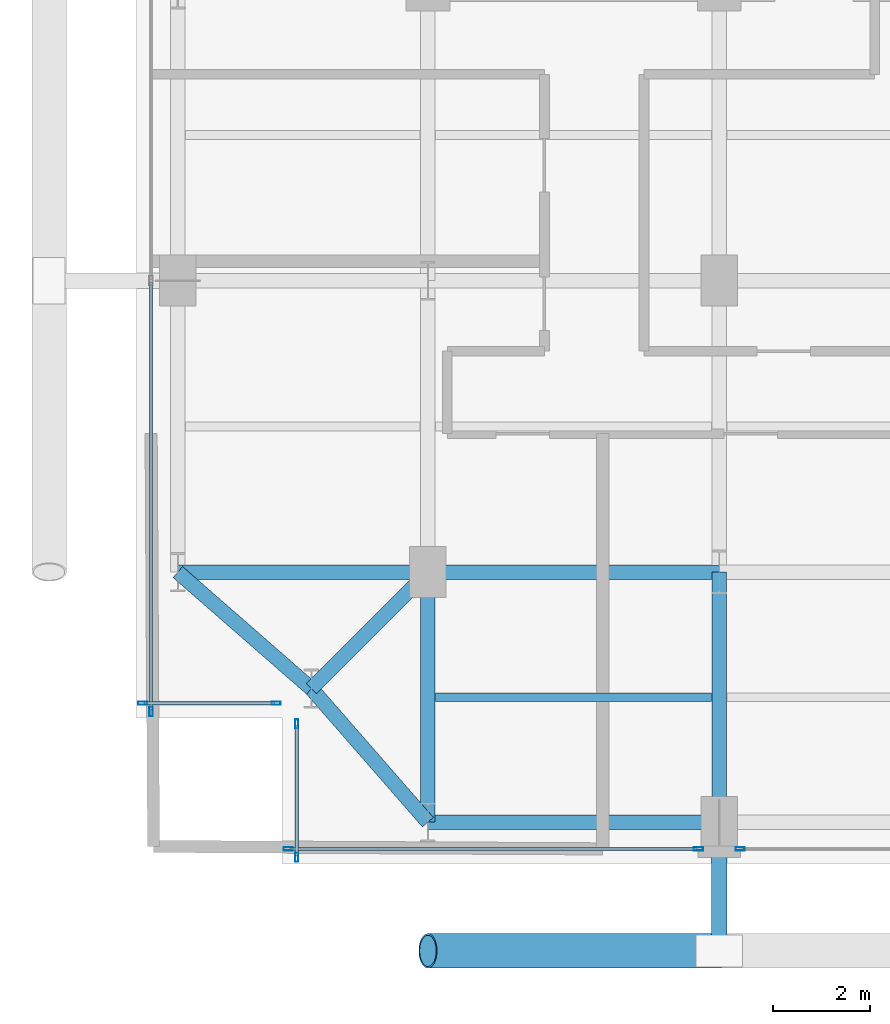
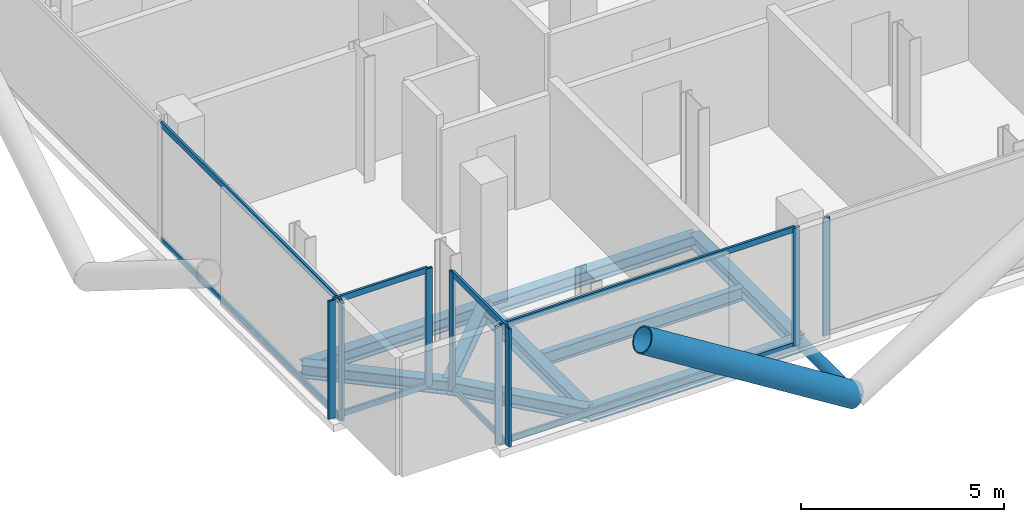
# One storey, part 2 of 26: 18 members, 9 beams, 5 elements without a shape of their own.
"""IFC4 building model written with IfcOpenShell, lengths in metres."""

from ifc_helpers import new_model, si_unit, direction, frame, origin, origin_2d, place, context, subcontext, project, spatial, hollow_rectangle, hollow_circle, i_section, extrude, material, layer, layer_set, material_profile, profile_set, type_object, element, aggregate, save


model = new_model("IFC4")

# Units and contexts
model_context = context("Model", 3, precision=1e-05, world=origin(), true_north=direction((0.0, 1.0)))
body_context = subcontext(model_context, "Body", "Model", "MODEL_VIEW")
ifc_project = project(units=[si_unit("LENGTHUNIT", "METRE"), si_unit("AREAUNIT", "SQUARE_METRE"), si_unit("VOLUMEUNIT", "CUBIC_METRE"), si_unit("PLANEANGLEUNIT", "RADIAN"), si_unit("MASSUNIT", "GRAM", prefix="KILO"), si_unit("THERMODYNAMICTEMPERATUREUNIT", "KELVIN"), si_unit("POWERUNIT", "WATT")], contexts=[model_context])

# Site, building, storey
site_placement = place(None, origin())
site = spatial("IfcSite", under=ifc_project, at=site_placement, CompositionType="ELEMENT")
building_placement = place(site_placement, origin())
building = spatial("IfcBuilding", under=site, at=building_placement, Name="Svarakhadi Broadcast Tower", CompositionType="ELEMENT")
storey_placement = place(building_placement, frame((0.0, 0.0, 184.199951171875)))
storey = spatial("IfcBuildingStorey", under=building, at=storey_placement, Name="L45", CompositionType="ELEMENT", Elevation=184.199951171875)

# Beam
ifc_material_1 = material(Name="Steel S355J2 (IS 2062 E350C)", Category="steel")
ifc_material_profile_1 = material_profile(ifc_material_1, i_section(OverallWidth=0.179931640625, OverallDepth=0.39990234375, WebThickness=0.008544921875, FlangeThickness=0.013427734375, FilletRadius=0.02099609375, at=origin_2d()), Name="NPB 400x180x66")
ifc_profile_set_1 = profile_set([ifc_material_profile_1], Name="Steel S355J2 (IS 2062 E350C)")
beam_type_1 = type_object("IfcBeamType", Name="Beam_NPB400", PredefinedType="BEAM", material=ifc_profile_set_1)
beam_1_placement = place(storey_placement, frame((6.159912109375, 3.425048828125, -0.409912109375), z_axis=(1.0, 0.0, 0.0), x_axis=(0.0, 1.0, 0.0)))
element("IfcBeam", 1, at=beam_1_placement, inside=storey, type_object=beam_type_1, Name="L45 Secondary Composite Beam SB005", PredefinedType="BEAM", context=body_context, shape_type="SweptSolid", body=[
    extrude(i_section(OverallWidth=0.179931640625, OverallDepth=0.39990234375, WebThickness=0.008544921875, FlangeThickness=0.013427734375, FilletRadius=0.02099609375, at=origin_2d()), origin(), (0.0, 0.0, 1.0), 5.68017578125),
])

# Curtain wall, members
ifc_material_2 = material(Name="Anodised Bronze Aluminium AA 6063-T6", Category="aluminium")
ifc_layer = layer(ifc_material_2, 0.18994140625)
ifc_layer_set = layer_set([ifc_layer], Name="Anodised Bronze Aluminium AA 6063-T6")
curtain_wall_type = type_object("IfcCurtainWallType", Name="CW_Sys_04", PredefinedType="NOTDEFINED", material=ifc_layer_set)
curtain_wall_1_placement = place(storey_placement, origin())
curtain_wall_1 = element("IfcCurtainWall", 2, at=curtain_wall_1_placement, inside=storey, type_object=curtain_wall_type, Name="L45 Unitised Facade Curtain Wall 01", PredefinedType="NOTDEFINED")
ifc_material_profile_2 = material_profile(ifc_material_2, hollow_rectangle(XDim=0.070068359375, YDim=0.18994140625, WallThickness=0.005615234375, at=origin_2d()), Name="ALU MULLION 190x70x6")
ifc_profile_set_2 = profile_set([ifc_material_profile_2], Name="Anodised Bronze Aluminium AA 6063-T6")
member_type_1 = type_object("IfcMemberType", Name="CW_Sys_04_Mul", PredefinedType="MULLION", material=ifc_profile_set_2)
member_1_placement = place(storey_placement, frame((2.875, 3.300048828125, 0.0), z_axis=(0.0, 0.0, 1.0), x_axis=(0.0, -1.0, 0.0)))
member_1 = element("IfcMember", 3, at=member_1_placement, type_object=member_type_1, Name="CW-04 mullion 1", PredefinedType="MULLION", context=body_context, shape_type="SweptSolid", body=[
    extrude(hollow_rectangle(XDim=0.070068359375, YDim=0.18994140625, WallThickness=0.005615234375, at=origin_2d()), origin(), (0.0, 0.0, 1.0), 3.5400390625),
])
member_2_placement = place(storey_placement, frame((0.125, 3.300048828125, 0.0), z_axis=(0.0, 0.0, 1.0), x_axis=(0.0, -1.0, 0.0)))
member_2 = element("IfcMember", 4, at=member_2_placement, type_object=member_type_1, Name="CW-04 mullion 2", PredefinedType="MULLION", context=body_context, shape_type="SweptSolid", body=[
    extrude(hollow_rectangle(XDim=0.070068359375, YDim=0.18994140625, WallThickness=0.005615234375, at=origin_2d()), origin(), (0.0, 0.0, 1.0), 3.5400390625),
])

# Curtain wall, member
curtain_wall_2_placement = place(storey_placement, origin())
curtain_wall_2 = element("IfcCurtainWall", 5, at=curtain_wall_2_placement, inside=storey, type_object=curtain_wall_type, Name="L45 West Curtain Wall 02", PredefinedType="NOTDEFINED")
member_3_placement = place(storey_placement, frame((0.300048828125, 3.125, 0.0), z_axis=(0.0, 0.0, 1.0), x_axis=(-1.0, 0.0, 0.0)))
member_3 = element("IfcMember", 6, at=member_3_placement, type_object=member_type_1, Name="CW-04 mullion 1", PredefinedType="MULLION", context=body_context, shape_type="SweptSolid", body=[
    extrude(hollow_rectangle(XDim=0.070068359375, YDim=0.18994140625, WallThickness=0.005615234375, at=origin_2d()), origin(), (0.0, 0.0, 1.0), 3.5400390625),
])

curtain_wall_3_placement = place(storey_placement, origin())
curtain_wall_3 = element("IfcCurtainWall", 7, at=curtain_wall_3_placement, inside=storey, type_object=curtain_wall_type, Name="L45 South Curtain Wall 16 Bay 2", PredefinedType="NOTDEFINED")
member_4_placement = place(storey_placement, frame((12.429931640625, 0.300048828125, 0.0), z_axis=(0.0, 0.0, 1.0), x_axis=(0.0, -1.0, 0.0)))
member_4 = element("IfcMember", 8, at=member_4_placement, type_object=member_type_1, Name="CW-04 mullion 2", PredefinedType="MULLION", context=body_context, shape_type="SweptSolid", body=[
    extrude(hollow_rectangle(XDim=0.070068359375, YDim=0.18994140625, WallThickness=0.005615234375, at=origin_2d()), origin(), (0.0, 0.0, 1.0), 3.5400390625),
])
aggregate(curtain_wall_3, [member_4])

# Curtain wall, members
curtain_wall_4_placement = place(storey_placement, origin())
curtain_wall_4 = element("IfcCurtainWall", 9, at=curtain_wall_4_placement, inside=storey, type_object=curtain_wall_type, Name="L45 South Curtain Wall 16 Bay 3", PredefinedType="NOTDEFINED")
member_5_placement = place(storey_placement, frame((11.570068359375, 0.300048828125, 0.0), z_axis=(0.0, 0.0, 1.0), x_axis=(0.0, -1.0, 0.0)))
member_5 = element("IfcMember", 10, at=member_5_placement, type_object=member_type_1, Name="CW-04 mullion 1", PredefinedType="MULLION", context=body_context, shape_type="SweptSolid", body=[
    extrude(hollow_rectangle(XDim=0.070068359375, YDim=0.18994140625, WallThickness=0.005615234375, at=origin_2d()), origin(), (0.0, 0.0, 1.0), 3.5400390625),
])
member_6_placement = place(storey_placement, frame((3.125, 0.300048828125, 0.0), z_axis=(0.0, 0.0, 1.0), x_axis=(0.0, -1.0, 0.0)))
member_6 = element("IfcMember", 11, at=member_6_placement, type_object=member_type_1, Name="CW-04 mullion 2", PredefinedType="MULLION", context=body_context, shape_type="SweptSolid", body=[
    extrude(hollow_rectangle(XDim=0.070068359375, YDim=0.18994140625, WallThickness=0.005615234375, at=origin_2d()), origin(), (0.0, 0.0, 1.0), 3.5400390625),
])

curtain_wall_5_placement = place(storey_placement, origin())
curtain_wall_5 = element("IfcCurtainWall", 12, at=curtain_wall_5_placement, inside=storey, type_object=curtain_wall_type, Name="L45 Unitised Facade Curtain Wall 17", PredefinedType="NOTDEFINED")
member_7_placement = place(storey_placement, frame((3.300048828125, 0.125, 0.0), z_axis=(0.0, 0.0, 1.0), x_axis=(-1.0, 0.0, 0.0)))
member_7 = element("IfcMember", 13, at=member_7_placement, type_object=member_type_1, Name="CW-04 mullion 1", PredefinedType="MULLION", context=body_context, shape_type="SweptSolid", body=[
    extrude(hollow_rectangle(XDim=0.070068359375, YDim=0.18994140625, WallThickness=0.005615234375, at=origin_2d()), origin(), (0.0, 0.0, 1.0), 3.5400390625),
])
member_8_placement = place(storey_placement, frame((3.300048828125, 2.875, 0.0), z_axis=(0.0, 0.0, 1.0), x_axis=(-1.0, 0.0, 0.0)))
member_8 = element("IfcMember", 14, at=member_8_placement, type_object=member_type_1, Name="CW-04 mullion 2", PredefinedType="MULLION", context=body_context, shape_type="SweptSolid", body=[
    extrude(hollow_rectangle(XDim=0.070068359375, YDim=0.18994140625, WallThickness=0.005615234375, at=origin_2d()), origin(), (0.0, 0.0, 1.0), 3.5400390625),
])

# Member
ifc_material_profile_3 = material_profile(ifc_material_2, hollow_rectangle(XDim=0.06494140625, YDim=0.175048828125, WallThickness=0.0048828125, at=origin_2d()), Name="ALU TRANSOM 175x65x5")
ifc_profile_set_3 = profile_set([ifc_material_profile_3], Name="Anodised Bronze Aluminium AA 6063-T6")
member_type_2 = type_object("IfcMemberType", Name="CW_Sys_04_Trn", PredefinedType="USERDEFINED", material=ifc_profile_set_3)
member_9_placement = place(storey_placement, frame((2.840087890625, 3.300048828125, 0.032470703125), z_axis=(-1.0, 0.0, 0.0), x_axis=(0.0, -1.0, 0.0)))
member_9 = element("IfcMember", 15, at=member_9_placement, type_object=member_type_2, Name="CW-04 transom 1.1", ObjectType="TRANSOM", PredefinedType="USERDEFINED", context=body_context, shape_type="SweptSolid", body=[
    extrude(hollow_rectangle(XDim=0.06494140625, YDim=0.175048828125, WallThickness=0.0048828125, at=origin_2d()), origin(), (0.0, 0.0, 1.0), 2.68017578125),
])

member_10_placement = place(storey_placement, frame((2.840087890625, 3.300048828125, 3.507568359375), z_axis=(-1.0, 0.0, 0.0), x_axis=(0.0, -1.0, 0.0)))
member_10 = element("IfcMember", 16, at=member_10_placement, type_object=member_type_2, Name="CW-04 transom 1.2", ObjectType="TRANSOM", PredefinedType="USERDEFINED", context=body_context, shape_type="SweptSolid", body=[
    extrude(hollow_rectangle(XDim=0.06494140625, YDim=0.175048828125, WallThickness=0.0048828125, at=origin_2d()), origin(), (0.0, 0.0, 1.0), 2.68017578125),
])

aggregate(curtain_wall_1, [member_1, member_2, member_9, member_10])

member_11_placement = place(storey_placement, frame((0.300048828125, 3.159912109375, 0.032470703125), z_axis=(0.0, 1.0, 0.0), x_axis=(-1.0, 0.0, 0.0)))
member_11 = element("IfcMember", 17, at=member_11_placement, type_object=member_type_2, Name="CW-04 transom 1.1", ObjectType="TRANSOM", PredefinedType="USERDEFINED", context=body_context, shape_type="SweptSolid", body=[
    extrude(hollow_rectangle(XDim=0.06494140625, YDim=0.175048828125, WallThickness=0.0048828125, at=origin_2d()), origin(), (0.0, 0.0, 1.0), 8.80517578125),
])

member_12_placement = place(storey_placement, frame((0.300048828125, 3.159912109375, 3.507568359375), z_axis=(0.0, 1.0, 0.0), x_axis=(-1.0, 0.0, 0.0)))
member_12 = element("IfcMember", 18, at=member_12_placement, type_object=member_type_2, Name="CW-04 transom 1.2", ObjectType="TRANSOM", PredefinedType="USERDEFINED", context=body_context, shape_type="SweptSolid", body=[
    extrude(hollow_rectangle(XDim=0.06494140625, YDim=0.175048828125, WallThickness=0.0048828125, at=origin_2d()), origin(), (0.0, 0.0, 1.0), 8.80517578125),
])

aggregate(curtain_wall_2, [member_3, member_11, member_12])

member_13_placement = place(storey_placement, frame((11.534912109375, 0.300048828125, 0.032470703125), z_axis=(-1.0, 0.0, 0.0), x_axis=(0.0, -1.0, 0.0)))
member_13 = element("IfcMember", 19, at=member_13_placement, type_object=member_type_2, Name="CW-04 transom 1.1", ObjectType="TRANSOM", PredefinedType="USERDEFINED", context=body_context, shape_type="SweptSolid", body=[
    extrude(hollow_rectangle(XDim=0.06494140625, YDim=0.175048828125, WallThickness=0.0048828125, at=origin_2d()), origin(), (0.0, 0.0, 1.0), 8.375),
])

member_14_placement = place(storey_placement, frame((11.534912109375, 0.300048828125, 3.507568359375), z_axis=(-1.0, 0.0, 0.0), x_axis=(0.0, -1.0, 0.0)))
member_14 = element("IfcMember", 20, at=member_14_placement, type_object=member_type_2, Name="CW-04 transom 1.2", ObjectType="TRANSOM", PredefinedType="USERDEFINED", context=body_context, shape_type="SweptSolid", body=[
    extrude(hollow_rectangle(XDim=0.06494140625, YDim=0.175048828125, WallThickness=0.0048828125, at=origin_2d()), origin(), (0.0, 0.0, 1.0), 8.375),
])

aggregate(curtain_wall_4, [member_5, member_6, member_13, member_14])

member_15_placement = place(storey_placement, frame((3.300048828125, 0.159912109375, 0.032470703125), z_axis=(0.0, 1.0, 0.0), x_axis=(-1.0, 0.0, 0.0)))
member_15 = element("IfcMember", 21, at=member_15_placement, type_object=member_type_2, Name="CW-04 transom 1.1", ObjectType="TRANSOM", PredefinedType="USERDEFINED", context=body_context, shape_type="SweptSolid", body=[
    extrude(hollow_rectangle(XDim=0.06494140625, YDim=0.175048828125, WallThickness=0.0048828125, at=origin_2d()), origin(), (0.0, 0.0, 1.0), 2.68017578125),
])

member_16_placement = place(storey_placement, frame((3.300048828125, 0.159912109375, 3.507568359375), z_axis=(0.0, 1.0, 0.0), x_axis=(-1.0, 0.0, 0.0)))
member_16 = element("IfcMember", 22, at=member_16_placement, type_object=member_type_2, Name="CW-04 transom 1.2", ObjectType="TRANSOM", PredefinedType="USERDEFINED", context=body_context, shape_type="SweptSolid", body=[
    extrude(hollow_rectangle(XDim=0.06494140625, YDim=0.175048828125, WallThickness=0.0048828125, at=origin_2d()), origin(), (0.0, 0.0, 1.0), 2.68017578125),
])

aggregate(curtain_wall_5, [member_7, member_8, member_15, member_16])

# Members
ifc_material_3 = material(Name="Steel S460ML (IS 2062 E450BR)", Category="steel")
ifc_material_profile_4 = material_profile(ifc_material_3, hollow_circle(Radius=0.35546875, WallThickness=0.034912109375, at=origin_2d()), Name="CHS 711x35")
ifc_profile_set_4 = profile_set([ifc_material_profile_4], Name="Steel S460ML (IS 2062 E450BR)")
member_type_3 = type_object("IfcMemberType", Name="Exo_Brace_CHS711", PredefinedType="BRACE", material=ifc_profile_set_4)
member_17_placement = place(storey_placement, frame((12.0, -1.800048828125, -0.371826171875), z_axis=(-0.847998304005, 0.0, 0.529998940003), x_axis=(0.0, -1.0, 0.0)))
element("IfcMember", 23, at=member_17_placement, inside=storey, type_object=member_type_3, Name="L45 Exposed Bronze Exoskeleton Diagonal S01", PredefinedType="BRACE", context=body_context, shape_type="SweptSolid", body=[
    extrude(hollow_circle(Radius=0.35546875, WallThickness=0.034912109375, at=origin_2d()), origin(), (0.0, 0.0, 1.0), 7.075439453125),
])
ifc_material_profile_5 = material_profile(ifc_material_3, hollow_circle(Radius=0.161865234375, WallThickness=0.01611328125, at=origin_2d()), Name="CHS 323.9x16")
ifc_profile_set_5 = profile_set([ifc_material_profile_5], Name="Steel S460ML (IS 2062 E450BR)")
member_type_4 = type_object("IfcMemberType", Name="Exo_Radial_Strut_Z2", PredefinedType="STRUT", material=ifc_profile_set_5)
member_18_placement = place(storey_placement, frame((12.0, -1.800048828125, -0.371826171875), z_axis=(0.0, 1.0, 0.0), x_axis=(-1.0, 0.0, 0.0)))
element("IfcMember", 24, at=member_18_placement, inside=storey, type_object=member_type_4, Name="L45 Exoskeleton Radial Tie Strut S01", PredefinedType="STRUT", context=body_context, shape_type="SweptSolid", body=[
    extrude(hollow_circle(Radius=0.161865234375, WallThickness=0.01611328125, at=origin_2d()), origin(), (0.0, 0.0, 1.0), 2.650146484375),
])

# Beams
ifc_material_profile_6 = material_profile(ifc_material_1, i_section(OverallWidth=0.300048828125, OverallDepth=0.39990234375, WebThickness=0.013427734375, FlangeThickness=0.02392578125, FilletRadius=0.027099609375, at=origin_2d()), Name="WPB 400x300x155")
ifc_profile_set_6 = profile_set([ifc_material_profile_6], Name="Steel S355J2 (IS 2062 E350C)")
beam_type_2 = type_object("IfcBeamType", Name="Girder_WPB400", PredefinedType="USERDEFINED", material=ifc_profile_set_6)
beam_2_placement = place(storey_placement, frame((3.60009765625, 3.60009765625, -0.409912109375), z_axis=(0.707106781187, 0.707106781187, 0.0), x_axis=(-0.707106781187, 0.707106781187, 0.0)))
element("IfcBeam", 25, at=beam_2_placement, inside=storey, type_object=beam_type_2, Name="L45 Corner Tie Girder G001", ObjectType="GIRDER", PredefinedType="USERDEFINED", context=body_context, shape_type="SweptSolid", body=[
    extrude(i_section(OverallWidth=0.300048828125, OverallDepth=0.39990234375, WebThickness=0.013427734375, FlangeThickness=0.02392578125, FilletRadius=0.027099609375, at=origin_2d()), origin(), (0.0, 0.0, 1.0), 3.39404296875),
])
for number, where, z_axis, x_axis, name in (
    (26, (3.60009765625, 3.60009765625, -0.409912109375), (-0.753437912176, 0.657519058655, 0.0), (-0.657519058655, -0.753437912176, 0.0), "L45 Corner Tie Girder G002"),
    (27, (3.60009765625, 3.60009765625, -0.409912109375), (0.657519058655, -0.753437912176, 0.0), (0.753437912176, 0.657519058655, 0.0), "L45 Corner Tie Girder G003"),
):
    element("IfcBeam", number, at=place(storey_placement, frame(where, z_axis=z_axis, x_axis=x_axis)), inside=storey, type_object=beam_type_2, Name=name, ObjectType="GIRDER", PredefinedType="USERDEFINED", context=body_context, shape_type="SweptSolid", body=[
        extrude(i_section(OverallWidth=0.300048828125, OverallDepth=0.39990234375, WebThickness=0.013427734375, FlangeThickness=0.02392578125, FilletRadius=0.027099609375, at=origin_2d()), origin(), (0.0, 0.0, 1.0), 3.64990234375),
    ])
beam_3_placement = place(storey_placement, frame((6.0, 0.85009765625, -0.409912109375), z_axis=(1.0, 0.0, 0.0), x_axis=(0.0, 1.0, 0.0)))
element("IfcBeam", 28, at=beam_3_placement, inside=storey, type_object=beam_type_2, Name="L45 Primary E-W Girder G004", ObjectType="GIRDER", PredefinedType="USERDEFINED", context=body_context, shape_type="SweptSolid", body=[
    extrude(i_section(OverallWidth=0.300048828125, OverallDepth=0.39990234375, WebThickness=0.013427734375, FlangeThickness=0.02392578125, FilletRadius=0.027099609375, at=origin_2d()), origin(), (0.0, 0.0, 1.0), 6.0),
])
beam_4_placement = place(storey_placement, frame((0.85009765625, 6.0, -0.409912109375), z_axis=(1.0, 0.0, 0.0), x_axis=(0.0, 1.0, 0.0)))
element("IfcBeam", 29, at=beam_4_placement, inside=storey, type_object=beam_type_2, Name="L45 Primary E-W Girder G009", ObjectType="GIRDER", PredefinedType="USERDEFINED", context=body_context, shape_type="SweptSolid", body=[
    extrude(i_section(OverallWidth=0.300048828125, OverallDepth=0.39990234375, WebThickness=0.013427734375, FlangeThickness=0.02392578125, FilletRadius=0.027099609375, at=origin_2d()), origin(), (0.0, 0.0, 1.0), 5.14990234375),
])
beam_5_placement = place(storey_placement, frame((6.0, 6.0, -0.409912109375), z_axis=(1.0, 0.0, 0.0), x_axis=(0.0, 1.0, 0.0)))
element("IfcBeam", 30, at=beam_5_placement, inside=storey, type_object=beam_type_2, Name="L45 Primary E-W Girder G010", ObjectType="GIRDER", PredefinedType="USERDEFINED", context=body_context, shape_type="SweptSolid", body=[
    extrude(i_section(OverallWidth=0.300048828125, OverallDepth=0.39990234375, WebThickness=0.013427734375, FlangeThickness=0.02392578125, FilletRadius=0.027099609375, at=origin_2d()), origin(), (0.0, 0.0, 1.0), 6.0),
])
for number, where, z_axis, x_axis, name in (
    (31, (6.0, 0.85009765625, -0.409912109375), (0.0, 1.0, 0.0), (-1.0, 0.0, 0.0), "L45 Primary N-S Girder G037"),
    (32, (12.0, 0.85009765625, -0.409912109375), (0.0, 1.0, 0.0), (-1.0, 0.0, 0.0), "L45 Primary N-S Girder G042"),
):
    element("IfcBeam", number, at=place(storey_placement, frame(where, z_axis=z_axis, x_axis=x_axis)), inside=storey, type_object=beam_type_2, Name=name, ObjectType="GIRDER", PredefinedType="USERDEFINED", context=body_context, shape_type="SweptSolid", body=[
        extrude(i_section(OverallWidth=0.300048828125, OverallDepth=0.39990234375, WebThickness=0.013427734375, FlangeThickness=0.02392578125, FilletRadius=0.027099609375, at=origin_2d()), origin(), (0.0, 0.0, 1.0), 5.14990234375),
    ])

save(model, "model.ifc")
